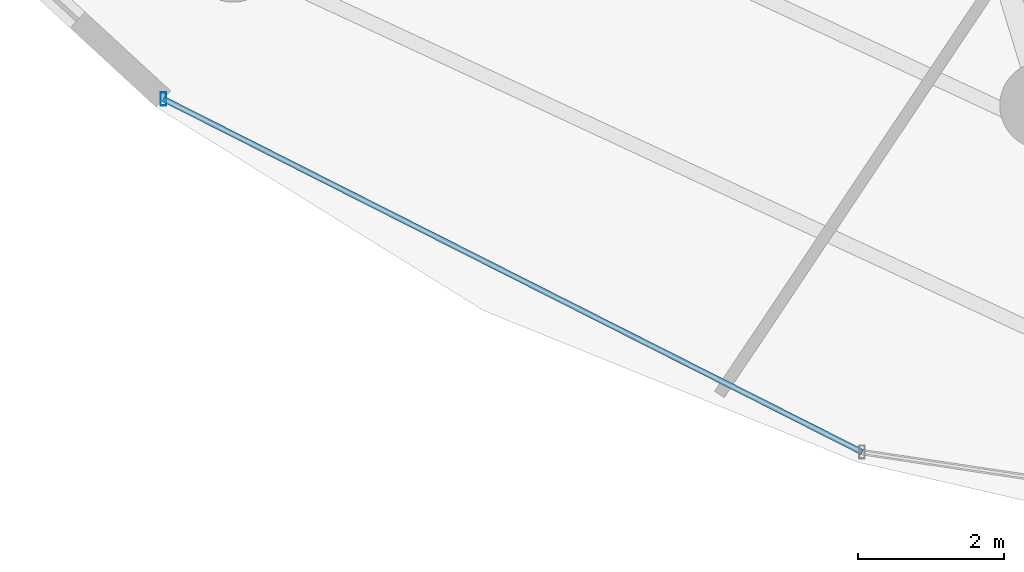
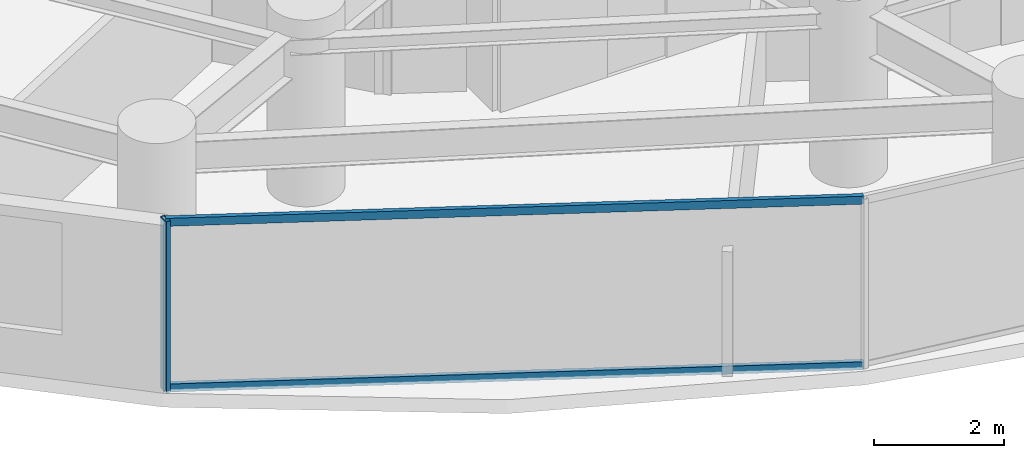
# One storey, part 2 of 34: 3 members, 1 element without a shape of its own.
"""IFC4 building model written with IfcOpenShell, lengths in metres."""

from ifc_helpers import new_model, si_unit, direction, frame, origin, origin_2d, place, context, subcontext, project, spatial, hollow_rectangle, extrude, material, material_profile, profile_set, type_object, element, aggregate, save


model = new_model("IFC4")

# Units and contexts
model_context = context("Model", 3, precision=1e-05, world=origin(), true_north=direction((0.0, 1.0)))
body_context = subcontext(model_context, "Body", "Model", "MODEL_VIEW")
ifc_project = project(units=[si_unit("LENGTHUNIT", "METRE"), si_unit("AREAUNIT", "SQUARE_METRE"), si_unit("VOLUMEUNIT", "CUBIC_METRE"), si_unit("PLANEANGLEUNIT", "RADIAN"), si_unit("MASSUNIT", "GRAM", prefix="KILO")], contexts=[model_context])

# Site, building, storey
site_placement = place(None, origin())
site = spatial("IfcSite", under=ifc_project, at=site_placement, CompositionType="ELEMENT")
building_placement = place(site_placement, origin())
building = spatial("IfcBuilding", under=site, at=building_placement, Name="Vorneva Point Tower", CompositionType="ELEMENT")
storey_placement = place(building_placement, frame((0.0, 0.0, 66.0)))
storey = spatial("IfcBuildingStorey", under=building, at=storey_placement, Name="L17", CompositionType="ELEMENT", Elevation=66.0)

# Curtain wall, members
ifc_material = material(Name="Pale anodised aluminium", Category="aluminium")
curtain_wall_type = type_object("IfcCurtainWallType", Name="CW-HTL-SYS", PredefinedType="NOTDEFINED", material=ifc_material)
curtain_wall_placement = place(storey_placement, origin())
curtain_wall = element("IfcCurtainWall", 1, at=curtain_wall_placement, inside=storey, type_object=curtain_wall_type, Name="L17 Unitised Curtain Wall CW-L17-R04", PredefinedType="NOTDEFINED")
ifc_material_profile_1 = material_profile(ifc_material, hollow_rectangle(XDim=0.074951171875, YDim=0.179931640625, WallThickness=0.00390625, at=origin_2d()), Name="AL-MUL 180x75x4")
ifc_profile_set_1 = profile_set([ifc_material_profile_1], Name="Pale anodised aluminium")
member_type_1 = type_object("IfcMemberType", Name="CW-MUL-180", PredefinedType="MULLION", material=ifc_profile_set_1)
member_1_placement = place(storey_placement, frame((17.10498046875, 10.1962890625, -0.0400390625), z_axis=(0.0, 0.0, 1.0), x_axis=(1.0, 0.0, 0.0)))
member_1 = element("IfcMember", 2, at=member_1_placement, type_object=member_type_1, Name="CW-L17-R04 Mullion 01", PredefinedType="MULLION", context=body_context, shape_type="SweptSolid", body=[
    extrude(hollow_rectangle(XDim=0.074951171875, YDim=0.179931640625, WallThickness=0.00390625, at=origin_2d()), origin(), (0.0, 0.0, 1.0), 3.219970703125),
])
ifc_material_profile_2 = material_profile(ifc_material, hollow_rectangle(XDim=0.074951171875, YDim=0.14990234375, WallThickness=0.00390625, at=origin_2d()), Name="AL-TRN 150x75x4")
ifc_profile_set_2 = profile_set([ifc_material_profile_2], Name="Pale anodised aluminium")
member_type_2 = type_object("IfcMemberType", Name="CW-TRN-150", PredefinedType="USERDEFINED", material=ifc_profile_set_2)
member_2_placement = place(storey_placement, frame((17.10498046875, 10.1962890625, 0.02001953125), z_axis=(0.892496057621, -0.451055192999, 0.0), x_axis=(0.451055192999, 0.892496057621, 0.0)))
member_2 = element("IfcMember", 3, at=member_2_placement, type_object=member_type_2, Name="CW-L17-R04 Transom 01.1", ObjectType="TRANSOM", PredefinedType="USERDEFINED", context=body_context, shape_type="SweptSolid", body=[
    extrude(hollow_rectangle(XDim=0.074951171875, YDim=0.14990234375, WallThickness=0.00390625, at=origin_2d()), origin(), (0.0, 0.0, 1.0), 10.741455078125),
])
member_3_placement = place(storey_placement, frame((17.10498046875, 10.1962890625, 3.1298828125), z_axis=(0.892496057621, -0.451055192999, 0.0), x_axis=(0.451055192999, 0.892496057621, 0.0)))
member_3 = element("IfcMember", 4, at=member_3_placement, type_object=member_type_2, Name="CW-L17-R04 Transom 01.2", ObjectType="TRANSOM", PredefinedType="USERDEFINED", context=body_context, shape_type="SweptSolid", body=[
    extrude(hollow_rectangle(XDim=0.074951171875, YDim=0.14990234375, WallThickness=0.00390625, at=origin_2d()), origin(), (0.0, 0.0, 1.0), 10.741455078125),
])
aggregate(curtain_wall, [member_1, member_2, member_3])

save(model, "model.ifc")
